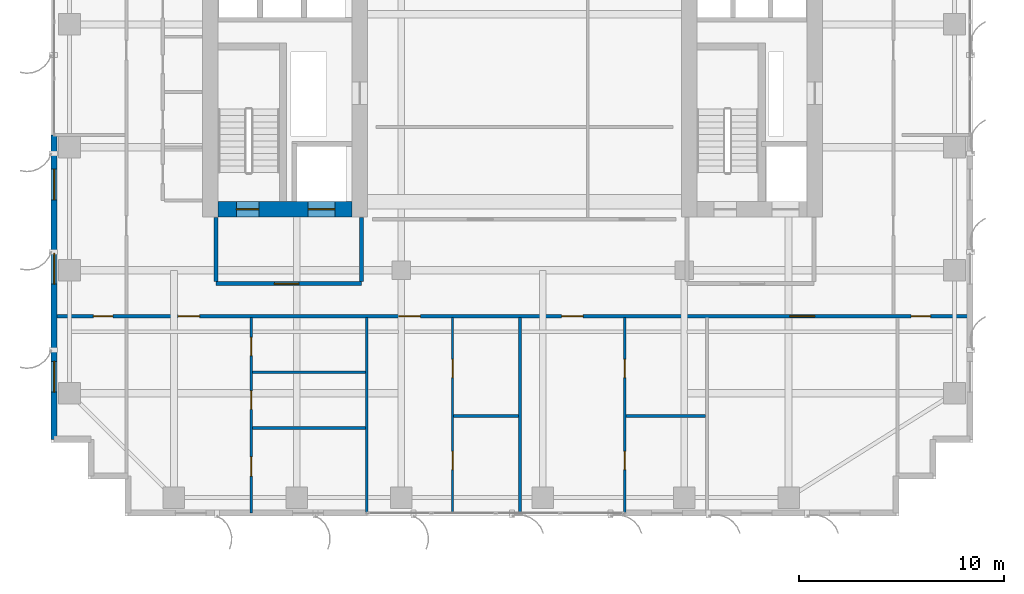
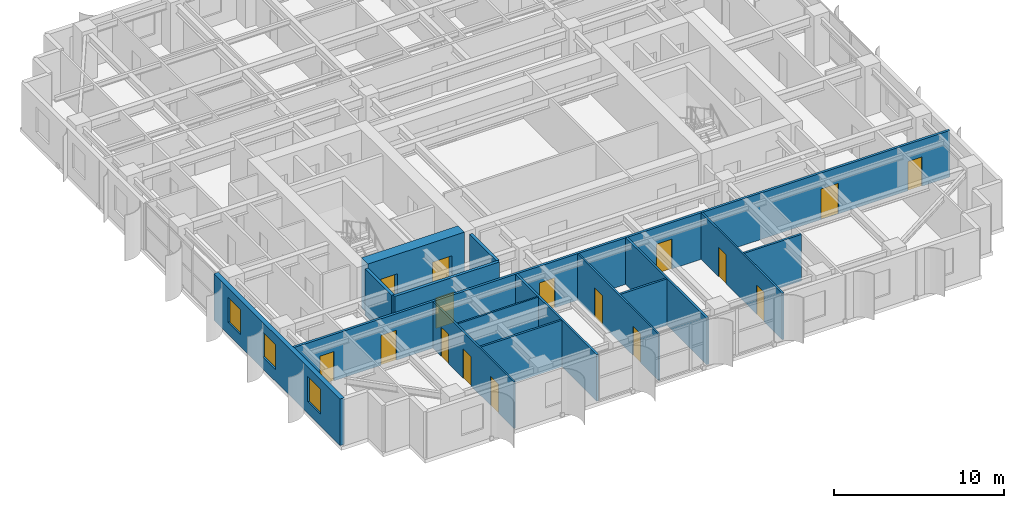
# One storey, part 12 of 19: 16 doors, 15 walls, 3 windows, 19 openings.
"""IFC4 building model written with IfcOpenShell, lengths in metres."""

from ifc_helpers import new_model, si_unit, direction, frame, frame_2d, origin, place, context, subcontext, project, spatial, rectangle, extrude, source, transform, mapped, material, layer, layer_set, type_object, element, fill, save


model = new_model("IFC4")

# Units and contexts
model_context = context("Model", 3, precision=1e-05, world=origin(), true_north=direction((0.0, 1.0)))
body_context = subcontext(model_context, "Body", "Model", "MODEL_VIEW")
ifc_project = project(units=[si_unit("LENGTHUNIT", "METRE"), si_unit("AREAUNIT", "SQUARE_METRE"), si_unit("VOLUMEUNIT", "CUBIC_METRE"), si_unit("PLANEANGLEUNIT", "RADIAN"), si_unit("MASSUNIT", "GRAM", prefix="KILO")], contexts=[model_context])

# Site, building, storey
site_placement = place(None, origin())
site = spatial("IfcSite", under=ifc_project, at=site_placement, CompositionType="ELEMENT")
building_placement = place(site_placement, origin())
building = spatial("IfcBuilding", under=site, at=building_placement, Name="Khoralis Quay Care Tower", CompositionType="ELEMENT")
storey_placement = place(building_placement, frame((0.0, 0.0, 90.89990234375)))
storey = spatial("IfcBuildingStorey", under=building, at=storey_placement, Name="L23", CompositionType="ELEMENT", Elevation=90.89990234375)

# Wall, opening, door
ifc_material_1 = material(Name="Gypsum plasterboard on acoustic metal stud")
ifc_layer_1 = layer(ifc_material_1, 0.199951171875)
ifc_layer_set_1 = layer_set([ifc_layer_1], Name="Gypsum plasterboard on acoustic metal stud")
wall_type_1 = type_object("IfcWallType", Name="WL-COMP-200", PredefinedType="PARTITIONING", material=ifc_layer_set_1)
wall_1_placement = place(storey_placement, frame((8.050048828125, 11.35009765625, 0.0), z_axis=(0.0, 0.0, 1.0), x_axis=(1.0, 0.0, 0.0)))
wall_1 = element("IfcWall", 1, at=wall_1_placement, inside=storey, type_object=wall_type_1, Name="L23 West Firefighting Lobby South Wall", PredefinedType="PARTITIONING", context=body_context, shape_type="SweptSolid", body=[
    extrude(rectangle(XDim=7.099853515625, YDim=0.199951171875, at=frame_2d((3.5498046875, 0.0))), origin(), (0.0, 0.0, 1.0), 3.340087890625),
])
opening_1_placement = place(wall_1_placement, frame((2.846435546875, 0.0, 0.0)))
opening_1 = element("IfcOpeningElement", 2, at=opening_1_placement, cuts=wall_1, Name="Opening FD1", PredefinedType="OPENING", context=body_context, shape_type="SweptSolid", body=[
    extrude(rectangle(XDim=1.199951171875, YDim=2.199951171875, at=frame_2d((0.60009765625, 1.10009765625))), frame((0.0, 0.10986328125, 0.0), z_axis=(0.0, -1.0, 0.0), x_axis=(1.0, 0.0, 0.0)), (0.0, 0.0, 1.0), 0.219970703125),
])
ifc_material_2 = material(Name="Fire-rated painted steel", Category="steel")
door_type_1 = type_object("IfcDoorType", Name="DR-FFL-1200X2200", OperationType="NOTDEFINED", PredefinedType="DOOR", material=ifc_material_2)
shared_shape_1 = source(origin(), body_context, "Body", "SweptSolid", [
    extrude(rectangle(XDim=1.199951171875, YDim=2.199951171875, at=frame_2d((0.60009765625, 1.10009765625))), frame((0.0, 0.02490234375, 0.0), z_axis=(0.0, -1.0, 0.0), x_axis=(1.0, 0.0, 0.0)), (0.0, 0.0, 1.0), 0.050048828125),
])
door_1_placement = place(opening_1_placement, origin())
door_1 = element("IfcDoor", 3, at=door_1_placement, inside=storey, type_object=door_type_1, Name="L23 West Firefighting Lobby Fire Door", OperationType="SINGLE_SWING_LEFT", OverallHeight=2.199951171875, OverallWidth=1.199951171875, PredefinedType="DOOR", context=body_context, shape_type="MappedRepresentation", body=[
    mapped(shared_shape_1, transform((0.0, 0.0, 0.0), scale=1.0)),
])
fill(opening_1, door_1)

# Walls
for number, where, z_axis, x_axis, name in (
    (4, (8.050048828125, 11.445068359375, 0.0), (0.0, 0.0, 1.0), (0.0, 1.0, 0.0), "L23 West Firefighting Lobby West Wall"),
    (5, (15.14990234375, 11.445068359375, 0.0), (0.0, 0.0, 1.0), (0.0, 1.0, 0.0), "L23 West Firefighting Lobby East Wall"),
):
    element("IfcWall", number, at=place(storey_placement, frame(where, z_axis=z_axis, x_axis=x_axis)), inside=storey, type_object=wall_type_1, Name=name, PredefinedType="PARTITIONING", context=body_context, shape_type="SweptSolid", body=[
        extrude(rectangle(XDim=3.135009765625, YDim=0.199951171875, at=frame_2d((1.5673828125, 0.0))), origin(), (0.0, 0.0, 1.0), 3.340087890625),
    ])

# Wall, openings, doors
ifc_material_3 = material(Name="Concrete C80/95", Category="concrete")
ifc_layer_2 = layer(ifc_material_3, 0.75)
ifc_layer_set_2 = layer_set([ifc_layer_2], Name="Concrete C80/95")
wall_type_2 = type_object("IfcWallType", Name="WL-CORE-750", PredefinedType="SHEAR", material=ifc_layer_set_2)
wall_2_placement = place(storey_placement, frame((8.14990234375, 14.97509765625, 0.0), z_axis=(0.0, 0.0, 1.0), x_axis=(1.0, 0.0, 0.0)))
wall_2 = element("IfcWall", 6, at=wall_2_placement, inside=storey, type_object=wall_type_2, Name="L23 WCORE South Shear Wall", PredefinedType="SHEAR", context=body_context, shape_type="SweptSolid", body=[
    extrude(rectangle(XDim=6.550048828125, YDim=0.75, at=frame_2d((3.27490234375, 0.0))), origin(), (0.0, 0.0, 1.0), 3.60009765625),
])
opening_2_placement = place(wall_2_placement, frame((0.89990234375, 0.0, 0.0)))
opening_2 = element("IfcOpeningElement", 7, at=opening_2_placement, cuts=wall_2, Name="Opening SD1", PredefinedType="OPENING", context=body_context, shape_type="SweptSolid", body=[
    extrude(rectangle(XDim=1.10009765625, YDim=2.199951171875, at=frame_2d((0.550048828125, 1.10009765625))), frame((0.0, 0.385009765625, 0.0), z_axis=(0.0, -1.0, 0.0), x_axis=(1.0, 0.0, 0.0)), (0.0, 0.0, 1.0), 0.77001953125),
])
opening_3_placement = place(wall_2_placement, frame((4.39990234375, 0.0, 0.0)))
opening_3 = element("IfcOpeningElement", 8, at=opening_3_placement, cuts=wall_2, Name="Opening LD2", PredefinedType="OPENING", context=body_context, shape_type="SweptSolid", body=[
    extrude(rectangle(XDim=1.300048828125, YDim=2.199951171875, at=frame_2d((0.64990234375, 1.10009765625))), frame((0.0, 0.385009765625, 0.0), z_axis=(0.0, -1.0, 0.0), x_axis=(1.0, 0.0, 0.0)), (0.0, 0.0, 1.0), 0.77001953125),
])
door_type_2 = type_object("IfcDoorType", Name="DR-STAIR-1100X2200", OperationType="NOTDEFINED", PredefinedType="DOOR", material=ifc_material_2)
shared_shape_2 = source(origin(), body_context, "Body", "SweptSolid", [
    extrude(rectangle(XDim=1.10009765625, YDim=2.199951171875, at=frame_2d((0.550048828125, 1.10009765625))), frame((0.0, 0.02490234375, 0.0), z_axis=(0.0, -1.0, 0.0), x_axis=(1.0, 0.0, 0.0)), (0.0, 0.0, 1.0), 0.050048828125),
])
door_2_placement = place(opening_2_placement, origin())
door_2 = element("IfcDoor", 9, at=door_2_placement, inside=storey, type_object=door_type_2, Name="L23 Stair ST-T1 Fire Door", OperationType="SINGLE_SWING_LEFT", OverallHeight=2.199951171875, OverallWidth=1.10009765625, PredefinedType="DOOR", context=body_context, shape_type="MappedRepresentation", body=[
    mapped(shared_shape_2, transform((0.0, 0.0, 0.0), scale=1.0)),
])
fill(opening_2, door_2)
ifc_material_4 = material(Name="Brushed stainless steel", Category="steel")
door_type_3 = type_object("IfcDoorType", Name="DR-LIFT-1300X2200", OperationType="SLIDING_TO_RIGHT", PredefinedType="DOOR", material=ifc_material_4)
shared_shape_3 = source(origin(), body_context, "Body", "SweptSolid", [
    extrude(rectangle(XDim=1.300048828125, YDim=2.199951171875, at=frame_2d((0.64990234375, 1.10009765625))), frame((0.0, 0.02490234375, 0.0), z_axis=(0.0, -1.0, 0.0), x_axis=(1.0, 0.0, 0.0)), (0.0, 0.0, 1.0), 0.050048828125),
])
door_3_placement = place(opening_3_placement, origin())
door_3 = element("IfcDoor", 10, at=door_3_placement, inside=storey, type_object=door_type_3, Name="L23 Firefighting Lift FFL-1 Landing Door", OperationType="SLIDING_TO_RIGHT", OverallHeight=2.199951171875, OverallWidth=1.300048828125, PredefinedType="DOOR", context=body_context, shape_type="MappedRepresentation", body=[
    mapped(shared_shape_3, transform((0.0, 0.0, 0.0), scale=1.0)),
])
fill(opening_3, door_3)

ifc_layer_3 = layer(ifc_material_1, 0.1650390625)
ifc_layer_set_3 = layer_set([ifc_layer_3], Name="Gypsum plasterboard on acoustic metal stud")
wall_type_3 = type_object("IfcWallType", Name="WL-CORR-165", PredefinedType="PARTITIONING", material=ifc_layer_set_3)
wall_3_placement = place(storey_placement, frame((0.14501953125, 9.760009765625, 0.0), z_axis=(0.0, 0.0, 1.0), x_axis=(1.0, 0.0, 0.0)))
wall_3 = element("IfcWall", 11, at=wall_3_placement, inside=storey, type_object=wall_type_3, Name="L23 South Main Corridor Wall", PredefinedType="PARTITIONING", context=body_context, shape_type="SweptSolid", body=[
    extrude(rectangle(XDim=44.7099609375, YDim=0.1650390625, at=frame_2d((22.35498046875, 0.0))), origin(), (0.0, 0.0, 1.0), 3.340087890625),
])
opening_4_placement = place(wall_3_placement, frame((6.06005859375, 0.0, 0.0)))
opening_4 = element("IfcOpeningElement", 12, at=opening_4_placement, cuts=wall_3, Name="Opening UD1", PredefinedType="OPENING", context=body_context, shape_type="SweptSolid", body=[
    extrude(rectangle(XDim=1.050048828125, YDim=2.14990234375, at=frame_2d((0.52490234375, 1.074951171875))), frame((0.0, 0.092529296875, 0.0), z_axis=(0.0, -1.0, 0.0), x_axis=(1.0, 0.0, 0.0)), (0.0, 0.0, 1.0), 0.18505859375),
])
opening_5_placement = place(wall_3_placement, frame((16.83447265625, 0.0, 0.0)))
opening_5 = element("IfcOpeningElement", 13, at=opening_5_placement, cuts=wall_3, Name="Opening UD1", PredefinedType="OPENING", context=body_context, shape_type="SweptSolid", body=[
    extrude(rectangle(XDim=1.050048828125, YDim=2.14990234375, at=frame_2d((0.52490234375, 1.074951171875))), frame((0.0, 0.092529296875, 0.0), z_axis=(0.0, -1.0, 0.0), x_axis=(1.0, 0.0, 0.0)), (0.0, 0.0, 1.0), 0.18505859375),
])
opening_6_placement = place(wall_3_placement, frame((24.776611328125, 0.0, 0.0)))
opening_6 = element("IfcOpeningElement", 14, at=opening_6_placement, cuts=wall_3, Name="Opening UD1", PredefinedType="OPENING", context=body_context, shape_type="SweptSolid", body=[
    extrude(rectangle(XDim=1.050048828125, YDim=2.14990234375, at=frame_2d((0.52490234375, 1.074951171875))), frame((0.0, 0.092529296875, 0.0), z_axis=(0.0, -1.0, 0.0), x_axis=(1.0, 0.0, 0.0)), (0.0, 0.0, 1.0), 0.18505859375),
])
opening_7_placement = place(wall_3_placement, frame((35.925048828125, 0.0, 0.0)))
opening_7 = element("IfcOpeningElement", 15, at=opening_7_placement, cuts=wall_3, Name="Opening FD1", PredefinedType="OPENING", context=body_context, shape_type="SweptSolid", body=[
    extrude(rectangle(XDim=1.199951171875, YDim=2.199951171875, at=frame_2d((0.60009765625, 1.10009765625))), frame((0.0, 0.092529296875, 0.0), z_axis=(0.0, -1.0, 0.0), x_axis=(1.0, 0.0, 0.0)), (0.0, 0.0, 1.0), 0.18505859375),
])
opening_8_placement = place(wall_3_placement, frame((1.919921875, 0.0, 0.0)))
opening_8 = element("IfcOpeningElement", 16, at=opening_8_placement, cuts=wall_3, Name="Opening ID1", PredefinedType="OPENING", context=body_context, shape_type="SweptSolid", body=[
    extrude(rectangle(XDim=0.949951171875, YDim=2.10009765625, at=frame_2d((0.47509765625, 1.050048828125))), frame((0.0, 0.092529296875, 0.0), z_axis=(0.0, -1.0, 0.0), x_axis=(1.0, 0.0, 0.0)), (0.0, 0.0, 1.0), 0.18505859375),
])
opening_9_placement = place(wall_3_placement, frame((41.840087890625, 0.0, 0.0)))
opening_9 = element("IfcOpeningElement", 17, at=opening_9_placement, cuts=wall_3, Name="Opening ID1", PredefinedType="OPENING", context=body_context, shape_type="SweptSolid", body=[
    extrude(rectangle(XDim=0.949951171875, YDim=2.10009765625, at=frame_2d((0.47509765625, 1.050048828125))), frame((0.0, 0.092529296875, 0.0), z_axis=(0.0, -1.0, 0.0), x_axis=(1.0, 0.0, 0.0)), (0.0, 0.0, 1.0), 0.18505859375),
])
door_4_placement = place(opening_7_placement, frame((1.199951171875, 0.0, 0.0), z_axis=(0.0, 0.0, 1.0), x_axis=(-1.0, 0.0, 0.0)))
door_4 = element("IfcDoor", 18, at=door_4_placement, inside=storey, type_object=door_type_1, Name="L23 Senior Wellness Pharmacy Shop Door", OperationType="DOUBLE_DOOR_SINGLE_SWING", OverallHeight=2.199951171875, OverallWidth=1.199951171875, PredefinedType="DOOR", context=body_context, shape_type="MappedRepresentation", body=[
    mapped(shared_shape_1, transform((0.0, 0.0, 0.0), scale=1.0)),
])
fill(opening_7, door_4)
ifc_material_5 = material(Name="Acoustic hardwood timber", Category="wood")
door_type_4 = type_object("IfcDoorType", Name="DR-ROOM-950X2100", OperationType="NOTDEFINED", PredefinedType="DOOR", material=ifc_material_5)
shared_shape_4 = source(origin(), body_context, "Body", "SweptSolid", [
    extrude(rectangle(XDim=0.949951171875, YDim=2.10009765625, at=frame_2d((0.47509765625, 1.050048828125))), frame((0.0, 0.02490234375, 0.0), z_axis=(0.0, -1.0, 0.0), x_axis=(1.0, 0.0, 0.0)), (0.0, 0.0, 1.0), 0.050048828125),
])
door_5_placement = place(opening_8_placement, frame((0.949951171875, 0.0, 0.0), z_axis=(0.0, 0.0, 1.0), x_axis=(-1.0, 0.0, 0.0)))
door_5 = element("IfcDoor", 19, at=door_5_placement, inside=storey, type_object=door_type_4, Name="L23 SW Corner Door", OperationType="SINGLE_SWING_LEFT", OverallHeight=2.10009765625, OverallWidth=0.949951171875, PredefinedType="DOOR", context=body_context, shape_type="MappedRepresentation", body=[
    mapped(shared_shape_4, transform((0.0, 0.0, 0.0), scale=1.0)),
])
fill(opening_8, door_5)
door_6_placement = place(opening_9_placement, frame((0.949951171875, 0.0, 0.0), z_axis=(0.0, 0.0, 1.0), x_axis=(-1.0, 0.0, 0.0)))
door_6 = element("IfcDoor", 20, at=door_6_placement, inside=storey, type_object=door_type_4, Name="L23 SE Corner Door", OperationType="SINGLE_SWING_RIGHT", OverallHeight=2.10009765625, OverallWidth=0.949951171875, PredefinedType="DOOR", context=body_context, shape_type="MappedRepresentation", body=[
    mapped(shared_shape_4, transform((0.0, 0.0, 0.0), scale=1.0)),
])
fill(opening_9, door_6)
door_type_5 = type_object("IfcDoorType", Name="DR-SUITE-1050X2150", OperationType="NOTDEFINED", PredefinedType="DOOR", material=ifc_material_5)
shared_shape_5 = source(origin(), body_context, "Body", "SweptSolid", [
    extrude(rectangle(XDim=1.050048828125, YDim=2.14990234375, at=frame_2d((0.52490234375, 1.074951171875))), frame((0.0, 0.02490234375, 0.0), z_axis=(0.0, -1.0, 0.0), x_axis=(1.0, 0.0, 0.0)), (0.0, 0.0, 1.0), 0.050048828125),
])
door_7_placement = place(opening_4_placement, frame((1.050048828125, 0.0, 0.0), z_axis=(0.0, 0.0, 1.0), x_axis=(-1.0, 0.0, 0.0)))
door_7 = element("IfcDoor", 21, at=door_7_placement, inside=storey, type_object=door_type_5, Name="L23 Apartment SB0 Entrance Door", OperationType="SINGLE_SWING_LEFT", OverallHeight=2.14990234375, OverallWidth=1.050048828125, PredefinedType="DOOR", context=body_context, shape_type="MappedRepresentation", body=[
    mapped(shared_shape_5, transform((0.0, 0.0, 0.0), scale=1.0)),
])
fill(opening_4, door_7)
door_8_placement = place(opening_5_placement, frame((1.050048828125, 0.0, 0.0), z_axis=(0.0, 0.0, 1.0), x_axis=(-1.0, 0.0, 0.0)))
door_8 = element("IfcDoor", 22, at=door_8_placement, inside=storey, type_object=door_type_5, Name="L23 Studio SB1 Entrance", OperationType="SINGLE_SWING_RIGHT", OverallHeight=2.14990234375, OverallWidth=1.050048828125, PredefinedType="DOOR", context=body_context, shape_type="MappedRepresentation", body=[
    mapped(shared_shape_5, transform((0.0, 0.0, 0.0), scale=1.0)),
])
fill(opening_5, door_8)
door_9_placement = place(opening_6_placement, frame((1.050048828125, 0.0, 0.0), z_axis=(0.0, 0.0, 1.0), x_axis=(-1.0, 0.0, 0.0)))
door_9 = element("IfcDoor", 23, at=door_9_placement, inside=storey, type_object=door_type_5, Name="L23 Studio SB2 Entrance", OperationType="SINGLE_SWING_LEFT", OverallHeight=2.14990234375, OverallWidth=1.050048828125, PredefinedType="DOOR", context=body_context, shape_type="MappedRepresentation", body=[
    mapped(shared_shape_5, transform((0.0, 0.0, 0.0), scale=1.0)),
])
fill(opening_6, door_9)

# Wall, openings, windows
ifc_material_6 = material(Name="Precast concrete C45/55", Category="concrete")
ifc_layer_4 = layer(ifc_material_6, 0.300048828125)
ifc_layer_set_4 = layer_set([ifc_layer_4], Name="Precast concrete C45/55")
wall_type_4 = type_object("IfcWallType", Name="WL-EXT-REF-300", PredefinedType="SOLIDWALL", material=ifc_layer_set_4)
wall_4_placement = place(storey_placement, frame((0.14990234375, 18.60009765625, 0.0), z_axis=(0.0, 0.0, 1.0), x_axis=(0.0, -1.0, 0.0)))
wall_4 = element("IfcWall", 24, at=wall_4_placement, inside=storey, type_object=wall_type_4, Name="L23 External Facade Wall WL-EXT-L23-P1-E15B", PredefinedType="SOLIDWALL", context=body_context, shape_type="SweptSolid", body=[
    extrude(rectangle(XDim=14.85009765625, YDim=0.300048828125, at=frame_2d((7.425048828125, 0.0))), origin(), (0.0, 0.0, 1.0), 3.340087890625),
])
opening_10_placement = place(wall_4_placement, frame((1.6650390625, 0.0, 0.85009765625)))
opening_10 = element("IfcOpeningElement", 25, at=opening_10_placement, cuts=wall_4, Name="Opening W3", PredefinedType="OPENING", context=body_context, shape_type="SweptSolid", body=[
    extrude(rectangle(XDim=1.5, YDim=1.800048828125, at=frame_2d((0.75, 0.89990234375))), frame((0.0, 0.16015625, 0.0), z_axis=(0.0, -1.0, 0.0), x_axis=(1.0, 0.0, 0.0)), (0.0, 0.0, 1.0), 0.320068359375),
])
opening_11_placement = place(wall_4_placement, frame((5.77490234375, 0.0, 0.85009765625)))
opening_11 = element("IfcOpeningElement", 26, at=opening_11_placement, cuts=wall_4, Name="Opening W3", PredefinedType="OPENING", context=body_context, shape_type="SweptSolid", body=[
    extrude(rectangle(XDim=1.5, YDim=1.800048828125, at=frame_2d((0.75, 0.89990234375))), frame((0.0, 0.16015625, 0.0), z_axis=(0.0, -1.0, 0.0), x_axis=(1.0, 0.0, 0.0)), (0.0, 0.0, 1.0), 0.320068359375),
])
opening_12_placement = place(wall_4_placement, frame((11.044921875, 0.0, 0.85009765625)))
opening_12 = element("IfcOpeningElement", 27, at=opening_12_placement, cuts=wall_4, Name="Opening W3", PredefinedType="OPENING", context=body_context, shape_type="SweptSolid", body=[
    extrude(rectangle(XDim=1.5, YDim=1.800048828125, at=frame_2d((0.75, 0.89990234375))), frame((0.0, 0.16015625, 0.0), z_axis=(0.0, -1.0, 0.0), x_axis=(1.0, 0.0, 0.0)), (0.0, 0.0, 1.0), 0.320068359375),
])
ifc_material_7 = material(Name="Low-E solar-control double glazing", Category="glass")
window_type = type_object("IfcWindowType", Name="WN-CLIN-1500X1800", PartitioningType="SINGLE_PANEL", PredefinedType="WINDOW", material=ifc_material_7)
shared_shape_6 = source(origin(), body_context, "Body", "SweptSolid", [
    extrude(rectangle(XDim=1.5, YDim=1.800048828125, at=frame_2d((0.75, 0.89990234375))), frame((0.0, 0.030029296875, 0.0), z_axis=(0.0, -1.0, 0.0), x_axis=(1.0, 0.0, 0.0)), (0.0, 0.0, 1.0), 0.06005859375),
])
window_1_placement = place(opening_10_placement, origin())
window_1 = element("IfcWindow", 28, at=window_1_placement, inside=storey, type_object=window_type, Name="WN-L23-P1-E15B Facade Window 01", OverallHeight=1.800048828125, OverallWidth=1.5, PartitioningType="SINGLE_PANEL", PredefinedType="WINDOW", context=body_context, shape_type="MappedRepresentation", body=[
    mapped(shared_shape_6, transform((0.0, 0.0, 0.0), scale=1.0)),
])
fill(opening_10, window_1)
window_2_placement = place(opening_11_placement, origin())
window_2 = element("IfcWindow", 29, at=window_2_placement, inside=storey, type_object=window_type, Name="WN-L23-P1-E15B Facade Window 02", OverallHeight=1.800048828125, OverallWidth=1.5, PartitioningType="SINGLE_PANEL", PredefinedType="WINDOW", context=body_context, shape_type="MappedRepresentation", body=[
    mapped(shared_shape_6, transform((0.0, 0.0, 0.0), scale=1.0)),
])
fill(opening_11, window_2)
window_3_placement = place(opening_12_placement, origin())
window_3 = element("IfcWindow", 30, at=window_3_placement, inside=storey, type_object=window_type, Name="WN-L23-P1-E15B Facade Window 03", OverallHeight=1.800048828125, OverallWidth=1.5, PartitioningType="SINGLE_PANEL", PredefinedType="WINDOW", context=body_context, shape_type="MappedRepresentation", body=[
    mapped(shared_shape_6, transform((0.0, 0.0, 0.0), scale=1.0)),
])
fill(opening_12, window_3)

# Wall, openings, doors
ifc_layer_5 = layer(ifc_material_1, 0.114990234375)
ifc_layer_set_5 = layer_set([ifc_layer_5], Name="Gypsum plasterboard on acoustic metal stud")
wall_type_5 = type_object("IfcWallType", Name="WL-PART-115", PredefinedType="PARTITIONING", material=ifc_layer_set_5)
wall_5_placement = place(storey_placement, frame((9.780029296875, 0.14501953125, 0.0), z_axis=(0.0, 0.0, 1.0), x_axis=(0.0, 1.0, 0.0)))
wall_5 = element("IfcWall", 31, at=wall_5_placement, inside=storey, type_object=wall_type_5, Name="L23 Unit 0 Internal Wall", PredefinedType="PARTITIONING", context=body_context, shape_type="SweptSolid", body=[
    extrude(rectangle(XDim=9.53759765625, YDim=0.114990234375, at=frame_2d((4.768798828125, 0.0))), origin(), (0.0, 0.0, 1.0), 3.340087890625),
])
opening_13_placement = place(wall_5_placement, frame((1.802001953125, 0.0, 0.0)))
opening_13 = element("IfcOpeningElement", 32, at=opening_13_placement, cuts=wall_5, Name="Opening ID1", PredefinedType="OPENING", context=body_context, shape_type="SweptSolid", body=[
    extrude(rectangle(XDim=0.949951171875, YDim=2.10009765625, at=frame_2d((0.47509765625, 1.050048828125))), frame((0.0, 0.0673828125, 0.0), z_axis=(0.0, -1.0, 0.0), x_axis=(1.0, 0.0, 0.0)), (0.0, 0.0, 1.0), 0.135009765625),
])
opening_14_placement = place(wall_5_placement, frame((5.0654296875, 0.0, 0.0)))
opening_14 = element("IfcOpeningElement", 33, at=opening_14_placement, cuts=wall_5, Name="Opening WD1", PredefinedType="OPENING", context=body_context, shape_type="SweptSolid", body=[
    extrude(rectangle(XDim=0.89990234375, YDim=2.10009765625, at=frame_2d((0.449951171875, 1.050048828125))), frame((0.0, 0.0673828125, 0.0), z_axis=(0.0, -1.0, 0.0), x_axis=(1.0, 0.0, 0.0)), (0.0, 0.0, 1.0), 0.135009765625),
])
opening_15_placement = place(wall_5_placement, frame((7.68359375, 0.0, 0.0)))
opening_15 = element("IfcOpeningElement", 34, at=opening_15_placement, cuts=wall_5, Name="Opening WD1", PredefinedType="OPENING", context=body_context, shape_type="SweptSolid", body=[
    extrude(rectangle(XDim=0.89990234375, YDim=2.10009765625, at=frame_2d((0.449951171875, 1.050048828125))), frame((0.0, 0.0673828125, 0.0), z_axis=(0.0, -1.0, 0.0), x_axis=(1.0, 0.0, 0.0)), (0.0, 0.0, 1.0), 0.135009765625),
])
door_type_6 = type_object("IfcDoorType", Name="DR-BATH-900X2100", OperationType="NOTDEFINED", PredefinedType="DOOR", material=ifc_material_5)
shared_shape_7 = source(origin(), body_context, "Body", "SweptSolid", [
    extrude(rectangle(XDim=0.89990234375, YDim=2.10009765625, at=frame_2d((0.449951171875, 1.050048828125))), frame((0.0, 0.02490234375, 0.0), z_axis=(0.0, -1.0, 0.0), x_axis=(1.0, 0.0, 0.0)), (0.0, 0.0, 1.0), 0.050048828125),
])
door_10_placement = place(opening_14_placement, frame((0.89990234375, 0.0, 0.0), z_axis=(0.0, 0.0, 1.0), x_axis=(-1.0, 0.0, 0.0)))
door_10 = element("IfcDoor", 35, at=door_10_placement, inside=storey, type_object=door_type_6, Name="L23 Apartment SB0 KIT Door", OperationType="SINGLE_SWING_LEFT", OverallHeight=2.10009765625, OverallWidth=0.89990234375, PredefinedType="DOOR", context=body_context, shape_type="MappedRepresentation", body=[
    mapped(shared_shape_7, transform((0.0, 0.0, 0.0), scale=1.0)),
])
fill(opening_14, door_10)
door_11_placement = place(opening_15_placement, frame((0.89990234375, 0.0, 0.0), z_axis=(0.0, 0.0, 1.0), x_axis=(-1.0, 0.0, 0.0)))
door_11 = element("IfcDoor", 36, at=door_11_placement, inside=storey, type_object=door_type_6, Name="L23 Apartment SB0 BTH Door", OperationType="SINGLE_SWING_RIGHT", OverallHeight=2.10009765625, OverallWidth=0.89990234375, PredefinedType="DOOR", context=body_context, shape_type="MappedRepresentation", body=[
    mapped(shared_shape_7, transform((0.0, 0.0, 0.0), scale=1.0)),
])
fill(opening_15, door_11)
door_12_placement = place(opening_13_placement, frame((0.949951171875, 0.0, 0.0), z_axis=(0.0, 0.0, 1.0), x_axis=(-1.0, 0.0, 0.0)))
door_12 = element("IfcDoor", 37, at=door_12_placement, inside=storey, type_object=door_type_4, Name="L23 Apartment SB0 BED Door", OperationType="SINGLE_SWING_RIGHT", OverallHeight=2.10009765625, OverallWidth=0.949951171875, PredefinedType="DOOR", context=body_context, shape_type="MappedRepresentation", body=[
    mapped(shared_shape_4, transform((0.0, 0.0, 0.0), scale=1.0)),
])
fill(opening_13, door_12)

# Wall
wall_6_placement = place(storey_placement, frame((9.83251953125, 7.027099609375, 0.0), z_axis=(0.0, 0.0, 1.0), x_axis=(1.0, 0.0, 0.0)))
element("IfcWall", 38, at=wall_6_placement, inside=storey, type_object=wall_type_5, Name="L23 Unit 0 Kitchen Wall", PredefinedType="PARTITIONING", context=body_context, shape_type="SweptSolid", body=[
    extrude(rectangle(XDim=5.512451171875, YDim=0.114990234375, at=frame_2d((2.75634765625, 0.0))), origin(), (0.0, 0.0, 1.0), 3.340087890625),
])

# Wall, openings, doors
wall_7_placement = place(storey_placement, frame((19.59912109375, 0.14501953125, 0.0), z_axis=(0.0, 0.0, 1.0), x_axis=(0.0, 1.0, 0.0)))
wall_7 = element("IfcWall", 39, at=wall_7_placement, inside=storey, type_object=wall_type_5, Name="L23 Studio 1 Internal Wall", PredefinedType="PARTITIONING", context=body_context, shape_type="SweptSolid", body=[
    extrude(rectangle(XDim=9.53759765625, YDim=0.114990234375, at=frame_2d((4.768798828125, 0.0))), origin(), (0.0, 0.0, 1.0), 3.340087890625),
])
opening_16_placement = place(wall_7_placement, frame((2.1201171875, 0.0, 0.0)))
opening_16 = element("IfcOpeningElement", 40, at=opening_16_placement, cuts=wall_7, Name="Opening WD1", PredefinedType="OPENING", context=body_context, shape_type="SweptSolid", body=[
    extrude(rectangle(XDim=0.89990234375, YDim=2.10009765625, at=frame_2d((0.449951171875, 1.050048828125))), frame((0.0, 0.0673828125, 0.0), z_axis=(0.0, -1.0, 0.0), x_axis=(1.0, 0.0, 0.0)), (0.0, 0.0, 1.0), 0.135009765625),
])
opening_17_placement = place(wall_7_placement, frame((6.610107421875, 0.0, 0.0)))
opening_17 = element("IfcOpeningElement", 41, at=opening_17_placement, cuts=wall_7, Name="Opening WD1", PredefinedType="OPENING", context=body_context, shape_type="SweptSolid", body=[
    extrude(rectangle(XDim=0.89990234375, YDim=2.10009765625, at=frame_2d((0.449951171875, 1.050048828125))), frame((0.0, 0.0673828125, 0.0), z_axis=(0.0, -1.0, 0.0), x_axis=(1.0, 0.0, 0.0)), (0.0, 0.0, 1.0), 0.135009765625),
])
door_13_placement = place(opening_16_placement, frame((0.89990234375, 0.0, 0.0), z_axis=(0.0, 0.0, 1.0), x_axis=(-1.0, 0.0, 0.0)))
door_13 = element("IfcDoor", 42, at=door_13_placement, inside=storey, type_object=door_type_6, Name="L23 Studio SKT Door", OperationType="SINGLE_SWING_LEFT", OverallHeight=2.10009765625, OverallWidth=0.89990234375, PredefinedType="DOOR", context=body_context, shape_type="MappedRepresentation", body=[
    mapped(shared_shape_7, transform((0.0, 0.0, 0.0), scale=1.0)),
])
fill(opening_16, door_13)
door_14_placement = place(opening_17_placement, frame((0.89990234375, 0.0, 0.0), z_axis=(0.0, 0.0, 1.0), x_axis=(-1.0, 0.0, 0.0)))
door_14 = element("IfcDoor", 43, at=door_14_placement, inside=storey, type_object=door_type_6, Name="L23 Studio SBH Door", OperationType="SINGLE_SWING_RIGHT", OverallHeight=2.10009765625, OverallWidth=0.89990234375, PredefinedType="DOOR", context=body_context, shape_type="MappedRepresentation", body=[
    mapped(shared_shape_7, transform((0.0, 0.0, 0.0), scale=1.0)),
])
fill(opening_17, door_14)

wall_8_placement = place(storey_placement, frame((28.0029296875, 0.14501953125, 0.0), z_axis=(0.0, 0.0, 1.0), x_axis=(0.0, 1.0, 0.0)))
wall_8 = element("IfcWall", 44, at=wall_8_placement, inside=storey, type_object=wall_type_5, Name="L23 Studio 2 Internal Wall", PredefinedType="PARTITIONING", context=body_context, shape_type="SweptSolid", body=[
    extrude(rectangle(XDim=9.53759765625, YDim=0.114990234375, at=frame_2d((4.768798828125, 0.0))), origin(), (0.0, 0.0, 1.0), 3.340087890625),
])
opening_18_placement = place(wall_8_placement, frame((2.1201171875, 0.0, 0.0)))
opening_18 = element("IfcOpeningElement", 45, at=opening_18_placement, cuts=wall_8, Name="Opening WD1", PredefinedType="OPENING", context=body_context, shape_type="SweptSolid", body=[
    extrude(rectangle(XDim=0.89990234375, YDim=2.10009765625, at=frame_2d((0.449951171875, 1.050048828125))), frame((0.0, 0.0673828125, 0.0), z_axis=(0.0, -1.0, 0.0), x_axis=(1.0, 0.0, 0.0)), (0.0, 0.0, 1.0), 0.135009765625),
])
opening_19_placement = place(wall_8_placement, frame((6.610107421875, 0.0, 0.0)))
opening_19 = element("IfcOpeningElement", 46, at=opening_19_placement, cuts=wall_8, Name="Opening WD1", PredefinedType="OPENING", context=body_context, shape_type="SweptSolid", body=[
    extrude(rectangle(XDim=0.89990234375, YDim=2.10009765625, at=frame_2d((0.449951171875, 1.050048828125))), frame((0.0, 0.0673828125, 0.0), z_axis=(0.0, -1.0, 0.0), x_axis=(1.0, 0.0, 0.0)), (0.0, 0.0, 1.0), 0.135009765625),
])
door_15_placement = place(opening_18_placement, frame((0.89990234375, 0.0, 0.0), z_axis=(0.0, 0.0, 1.0), x_axis=(-1.0, 0.0, 0.0)))
door_15 = element("IfcDoor", 47, at=door_15_placement, inside=storey, type_object=door_type_6, Name="L23 Studio SKT Door", OperationType="SINGLE_SWING_RIGHT", OverallHeight=2.10009765625, OverallWidth=0.89990234375, PredefinedType="DOOR", context=body_context, shape_type="MappedRepresentation", body=[
    mapped(shared_shape_7, transform((0.0, 0.0, 0.0), scale=1.0)),
])
fill(opening_18, door_15)
door_16_placement = place(opening_19_placement, frame((0.89990234375, 0.0, 0.0), z_axis=(0.0, 0.0, 1.0), x_axis=(-1.0, 0.0, 0.0)))
door_16 = element("IfcDoor", 48, at=door_16_placement, inside=storey, type_object=door_type_6, Name="L23 Studio SBH Door", OperationType="SINGLE_SWING_LEFT", OverallHeight=2.10009765625, OverallWidth=0.89990234375, PredefinedType="DOOR", context=body_context, shape_type="MappedRepresentation", body=[
    mapped(shared_shape_7, transform((0.0, 0.0, 0.0), scale=1.0)),
])
fill(opening_19, door_16)

# Walls
ifc_material_8 = material(Name="Moisture-resistant gypsum and ceramic tile")
ifc_layer_6 = layer(ifc_material_8, 0.280029296875)
ifc_layer_set_6 = layer_set([ifc_layer_6], Name="Moisture-resistant gypsum and ceramic tile")
wall_type_6 = type_object("IfcWallType", Name="WL-PLUMB-280", PredefinedType="PLUMBINGWALL", material=ifc_layer_set_6)
wall_9_placement = place(storey_placement, frame((9.83251953125, 4.2939453125, 0.0), z_axis=(0.0, 0.0, 1.0), x_axis=(1.0, 0.0, 0.0)))
element("IfcWall", 49, at=wall_9_placement, inside=storey, type_object=wall_type_6, Name="L23 Unit 0 Wet Wall", PredefinedType="PLUMBINGWALL", context=body_context, shape_type="SweptSolid", body=[
    extrude(rectangle(XDim=5.512451171875, YDim=0.139892578125, at=frame_2d((2.75634765625, 0.0))), origin(), (0.0, 0.0, 1.0), 3.340087890625),
])
wall_10_placement = place(storey_placement, frame((19.651611328125, 4.8798828125, 0.0), z_axis=(0.0, 0.0, 1.0), x_axis=(1.0, 0.0, 0.0)))
element("IfcWall", 50, at=wall_10_placement, inside=storey, type_object=wall_type_6, Name="L23 Studio 1 Wet Split", PredefinedType="PLUMBINGWALL", context=body_context, shape_type="SweptSolid", body=[
    extrude(rectangle(XDim=3.17333984375, YDim=0.139892578125, at=frame_2d((1.586669921875, 0.0))), origin(), (0.0, 0.0, 1.0), 3.340087890625),
])
wall_11_placement = place(storey_placement, frame((28.055419921875, 4.8798828125, 0.0), z_axis=(0.0, 0.0, 1.0), x_axis=(1.0, 0.0, 0.0)))
element("IfcWall", 51, at=wall_11_placement, inside=storey, type_object=wall_type_6, Name="L23 Studio 2 Wet Split", PredefinedType="PLUMBINGWALL", context=body_context, shape_type="SweptSolid", body=[
    extrude(rectangle(XDim=3.899658203125, YDim=0.139892578125, at=frame_2d((1.94970703125, 0.0))), origin(), (0.0, 0.0, 1.0), 3.340087890625),
])
ifc_layer_7 = layer(ifc_material_1, 0.139892578125)
ifc_layer_set_7 = layer_set([ifc_layer_7], Name="Gypsum plasterboard on acoustic metal stud")
wall_type_7 = type_object("IfcWallType", Name="WL-UNIT-140", PredefinedType="PARTITIONING", material=ifc_layer_set_7)
for number, where, z_axis, x_axis, name in (
    (52, (15.409912109375, 0.14501953125, 0.0), (0.0, 0.0, 1.0), (0.0, 1.0, 0.0), "L23 SB Demising Wall 1"),
    (53, (22.889892578125, 0.14501953125, 0.0), (0.0, 0.0, 1.0), (0.0, 1.0, 0.0), "L23 SB Demising Wall 2"),
):
    element("IfcWall", number, at=place(storey_placement, frame(where, z_axis=z_axis, x_axis=x_axis)), inside=storey, type_object=wall_type_7, Name=name, PredefinedType="PARTITIONING", context=body_context, shape_type="SweptSolid", body=[
        extrude(rectangle(XDim=9.53759765625, YDim=0.139892578125, at=frame_2d((4.768798828125, 0.0))), origin(), (0.0, 0.0, 1.0), 3.340087890625),
    ])

save(model, "model.ifc")
